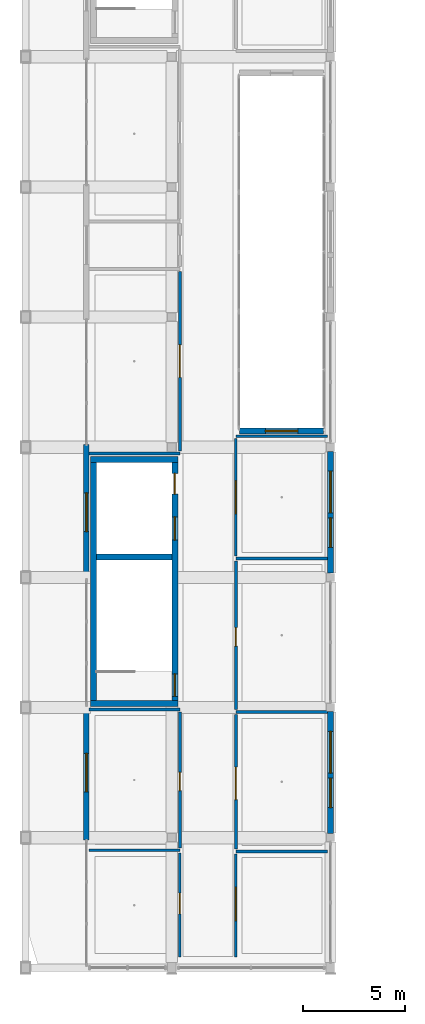
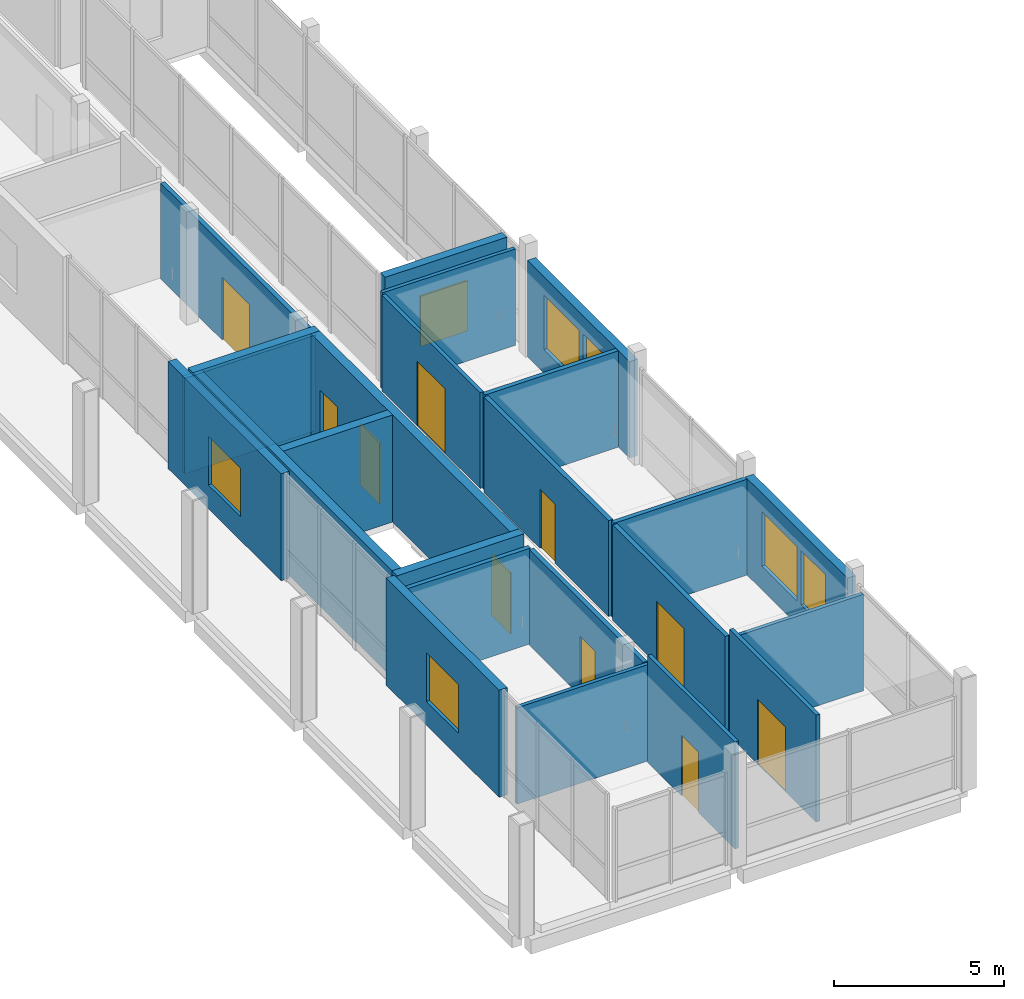
# One storey, part 11 of 24: 24 walls, 10 doors, 7 windows, 17 openings.
"""IFC4 building model written with IfcOpenShell, lengths in metres."""

import ifcopenshell
import ifcopenshell.guid

model = None  # the IFC model being written
_history = None  # IfcOwnerHistory: only IFC2X3 demands one
_inside = {}  # id of a spatial element -> (the spatial element, [elements in it])
_under = {}  # id of a project, library or spatial element -> (it, [spatial elements below it])
_declared = {}  # id of a project -> (the project, [libraries it declares])
_typed = {}  # id of a type object -> (the type object, [elements of that type])
_made_of = {}  # id of a material, layer set ... -> (it, [elements and type objects made of it])


def new_model(schema):
    """Start an empty IFC model of exactly this schema.

    Asked for "IFC4X3", IfcOpenShell would pick the latest addendum, in which some entities
    have other attributes; the version numbers below select the first issue.
    IFC2X3 requires an IfcOwnerHistory on every rooted entity: one is made here for all.
    """
    global model, _history
    if schema == "IFC4X3":
        model = ifcopenshell.file(schema_version=(4, 3, 0, 0))
    else:
        model = ifcopenshell.file(schema=schema)
    _inside.clear()
    _under.clear()
    _declared.clear()
    _typed.clear()
    _made_of.clear()
    _history = None
    if model.schema == "IFC2X3":
        org = make("IfcOrganization", Name="unknown")
        user = make(
            "IfcPersonAndOrganization",
            ThePerson=make("IfcPerson", FamilyName="unknown"),
            TheOrganization=org,
        )
        app = make(
            "IfcApplication",
            ApplicationDeveloper=org,
            Version="unknown",
            ApplicationFullName="unknown",
            ApplicationIdentifier="unknown",
        )
        _history = make(
            "IfcOwnerHistory",
            OwningUser=user,
            OwningApplication=app,
            ChangeAction="ADDED",
            CreationDate=0,
        )
    return model


def make(cls, **values):
    """One entity of the class cls with the attributes given. An attribute that is None is left unset."""
    return model.create_entity(
        cls, **{name: value for name, value in values.items() if value is not None}
    )


def rooted(cls, **values):
    """An entity with a GlobalId (a new one), such as an element, a storey or a relation."""
    return make(cls, GlobalId=ifcopenshell.guid.new(), OwnerHistory=_history, **values)


def si_unit(unit_type, name, prefix=None):
    """IfcSIUnit, for example si_unit("LENGTHUNIT", "METRE", prefix="MILLI")."""
    return make("IfcSIUnit", UnitType=unit_type, Prefix=prefix, Name=name)


def derived_unit(unit_type, elements):
    """IfcDerivedUnit: a product of units, each with its exponent."""
    return make(
        "IfcDerivedUnit",
        Elements=[
            make("IfcDerivedUnitElement", Unit=unit, Exponent=power)
            for unit, power in elements
        ],
        UnitType=unit_type,
    )


def assignment(units):
    """IfcUnitAssignment: the units of a project."""
    return None if units is None else make("IfcUnitAssignment", Units=units)


def point(xyz):
    """IfcCartesianPoint."""
    return None if xyz is None else make("IfcCartesianPoint", Coordinates=xyz)


def direction(xyz):
    """IfcDirection."""
    return None if xyz is None else make("IfcDirection", DirectionRatios=xyz)


def frame(location, z_axis=None, x_axis=None):
    """IfcAxis2Placement3D, a coordinate frame: its origin and axes. An axis left out is left unset."""
    return make(
        "IfcAxis2Placement3D",
        Location=point(location),
        Axis=direction(z_axis),
        RefDirection=direction(x_axis),
    )


def frame_2d(location, x_axis=None):
    """IfcAxis2Placement2D, a coordinate frame in the plane: its origin and x axis."""
    return make(
        "IfcAxis2Placement2D", Location=point(location), RefDirection=direction(x_axis)
    )


def origin():
    """The frame at (0, 0, 0) with its axes left unset."""
    return frame((0.0, 0.0, 0.0))


def origin_with_axes():
    """The frame at (0, 0, 0) with the z axis (0, 0, 1) and the x axis (1, 0, 0) written out."""
    return frame((0.0, 0.0, 0.0), z_axis=(0.0, 0.0, 1.0), x_axis=(1.0, 0.0, 0.0))


def place(relative_to, where):
    """IfcLocalPlacement: puts the frame where relative to a parent placement (None: the world)."""
    return make(
        "IfcLocalPlacement", PlacementRelTo=relative_to, RelativePlacement=where
    )


def context(
    kind, dimensions, precision=None, world=None, true_north=None, identifier=None
):
    """IfcGeometricRepresentationContext, for example the 3D "Model" context."""
    return make(
        "IfcGeometricRepresentationContext",
        ContextIdentifier=identifier,
        ContextType=kind,
        CoordinateSpaceDimension=dimensions,
        Precision=precision,
        WorldCoordinateSystem=world,
        TrueNorth=true_north,
    )


def subcontext(parent, identifier, kind, view, scale=None):
    """IfcGeometricRepresentationSubContext, for example "Body" below "Model"."""
    return make(
        "IfcGeometricRepresentationSubContext",
        ContextIdentifier=identifier,
        ContextType=kind,
        ParentContext=parent,
        TargetScale=scale,
        TargetView=view,
    )


def project(units=None, contexts=None):
    """IfcProject with its units and contexts."""
    return rooted(
        "IfcProject",
        Name="project",
        RepresentationContexts=contexts,
        UnitsInContext=assignment(units),
    )


def spatial(cls, under=None, at=None, **own):
    """A site, building, storey or space (cls), placed at a placement, below another one or the project."""
    s = rooted(cls, ObjectPlacement=at, **own)
    if under is not None:
        _under.setdefault(under.id(), (under, []))[1].append(s)
    return s


def profile(cls, at=None, kind="AREA", **sizes):
    """A parametric profile (cls). Its sizes go by their IFC names, for example OverallWidth=200.0."""
    return make(cls, ProfileType=kind, Position=at, **sizes)


def rectangle(**sizes):
    """IfcRectangleProfileDef."""
    return profile("IfcRectangleProfileDef", **sizes)


def extrude(swept, where, along, depth):
    """IfcExtrudedAreaSolid: the profile swept, set in the frame where, extruded along a direction by depth."""
    return make(
        "IfcExtrudedAreaSolid",
        SweptArea=swept,
        Position=where,
        ExtrudedDirection=direction(along),
        Depth=depth,
    )


def shape(context_of_items, identifier, shape_type, items):
    """IfcShapeRepresentation: the items that make up one representation, for example the "Body"."""
    return make(
        "IfcShapeRepresentation",
        ContextOfItems=context_of_items,
        RepresentationIdentifier=identifier,
        RepresentationType=shape_type,
        Items=items,
    )


def material(Name=None, Category=None):
    """IfcMaterial."""
    return make("IfcMaterial", Name=Name, Category=Category)


def layer(
    of_material, thickness, ventilated=None, Name=None, Category=None, Priority=None
):
    """IfcMaterialLayer: one layer of a wall or slab, of a material (None: an air gap)."""
    return make(
        "IfcMaterialLayer",
        Material=of_material,
        LayerThickness=thickness,
        IsVentilated=ventilated,
        Name=Name,
        Category=Category,
        Priority=Priority,
    )


def layer_set(layers, Name=None):
    """IfcMaterialLayerSet."""
    return make("IfcMaterialLayerSet", MaterialLayers=layers, LayerSetName=Name)


def made_of(thing, what):
    """Note that an element or type object is made of a material, layer set ...; save() writes the relation."""
    if what is not None:
        _made_of.setdefault(what.id(), (what, []))[1].append(thing)
    return thing


def type_object(cls, material=None, **own):
    """A type object (cls), such as IfcWallType, which elements share."""
    return made_of(rooted(cls, **own), material)


def element(
    cls,
    number,
    at=None,
    inside=None,
    cuts=None,
    type_object=None,
    material=None,
    context=None,
    identifier="Body",
    shape_type=None,
    held_by="IfcProductDefinitionShape",
    body=None,
    shapes=None,
    **own,
):
    """One element of the class cls, such as IfcWall. Its Tag is "e" and its number.

    at: its placement. inside: the storey or other place that contains it. cuts: it is an
    opening in that element (IfcRelVoidsElement). A single representation is given by context,
    identifier, shape_type and body (its items); several are given by shapes. held_by: the class
    of the entity that holds the representations. save() writes the other relations.
    """
    e = rooted(cls, Tag="e%d" % number, ObjectPlacement=at, **own)
    if body is not None:
        shapes = [shape(context, identifier, shape_type, body)]
    if shapes is not None:
        e.Representation = make(held_by, Representations=shapes)
    if inside is not None:
        _inside.setdefault(inside.id(), (inside, []))[1].append(e)
    if cuts is not None:
        rooted(
            "IfcRelVoidsElement", RelatingBuildingElement=cuts, RelatedOpeningElement=e
        )
    if type_object is not None:
        _typed.setdefault(type_object.id(), (type_object, []))[1].append(e)
    return made_of(e, material)


def fill(opening, filler):
    """IfcRelFillsElement: the door or window that sits in an opening."""
    return rooted(
        "IfcRelFillsElement",
        RelatingOpeningElement=opening,
        RelatedBuildingElement=filler,
    )


def aggregate(whole, parts):
    """IfcRelAggregates: a whole, such as a stair, and the parts it consists of."""
    return rooted("IfcRelAggregates", RelatingObject=whole, RelatedObjects=parts)


def save(model, path):
    """Write the relations noted so far, then the file.

    IfcRelAggregates (storeys below a building ...), IfcRelContainedInSpatialStructure (elements
    in a storey), IfcRelDefinesByType, IfcRelAssociatesMaterial and IfcRelDeclares: one each for
    every whole, place, type object, material and project.
    """
    for whole, parts in _under.values():
        aggregate(whole, parts)
    for where, things in _inside.values():
        rooted(
            "IfcRelContainedInSpatialStructure",
            RelatedElements=things,
            RelatingStructure=where,
        )
    for kind, things in _typed.values():
        rooted("IfcRelDefinesByType", RelatedObjects=things, RelatingType=kind)
    for what, things in _made_of.values():
        rooted("IfcRelAssociatesMaterial", RelatedObjects=things, RelatingMaterial=what)
    for by, libraries in _declared.values():
        rooted("IfcRelDeclares", RelatingContext=by, RelatedDefinitions=libraries)
    model.write(path)


model = new_model("IFC4")

# Units and contexts
model_context = context("Model", 3, precision=1e-05, world=origin(), true_north=direction((0.0, 1.0)))
body_context = subcontext(model_context, "Body", "Model", "MODEL_VIEW")
ifc_project = project(units=[si_unit("LENGTHUNIT", "METRE"), si_unit("AREAUNIT", "SQUARE_METRE"), si_unit("VOLUMEUNIT", "CUBIC_METRE"), si_unit("PLANEANGLEUNIT", "RADIAN"), si_unit("MASSUNIT", "GRAM", prefix="KILO"), derived_unit("THERMALTRANSMITTANCEUNIT", [(si_unit("POWERUNIT", "WATT"), 1), (si_unit("LENGTHUNIT", "METRE"), -2), (si_unit("THERMODYNAMICTEMPERATUREUNIT", "KELVIN"), -1)])], contexts=[model_context])

# Site, building, storey
site_placement = place(None, origin())
site = spatial("IfcSite", under=ifc_project, at=site_placement, CompositionType="ELEMENT")
building_placement = place(site_placement, origin())
building = spatial("IfcBuilding", under=site, at=building_placement, Name="Braskholm Square Health Centre", CompositionType="ELEMENT")
storey_placement = place(building_placement, frame((0.0, 0.0, 21.60009765625)))
storey = spatial("IfcBuildingStorey", under=building, at=storey_placement, Name="L06", CompositionType="ELEMENT", Elevation=21.60009765625)

# Wall, opening, door
ifc_material_1 = material(Name="Acoustic gypsum board partition")
ifc_layer_1 = layer(ifc_material_1, 0.125)
ifc_layer_set_1 = layer_set([ifc_layer_1], Name="Acoustic gypsum board partition")
wall_type_1 = type_object("IfcWallType", Name="ClinicalExamPartition125", PredefinedType="PARTITIONING", material=ifc_layer_set_1)
wall_1_placement = place(storey_placement, frame((11.800048828125, 4.719970703125, 0.0), z_axis=(0.0, 0.0, 1.0), x_axis=(0.0, 1.0, 0.0)))
wall_1 = element("IfcWall", 1, at=wall_1_placement, inside=storey, type_object=wall_type_1, Name="Interior partition PWALL-L06-0244", PredefinedType="PARTITIONING", context=body_context, shape_type="SweptSolid", body=[
    extrude(rectangle(XDim=5.130126953125, YDim=0.125, at=frame_2d((2.56494140625, 0.0))), origin(), (0.0, 0.0, 1.0), 3.8349609375),
])
opening_1_placement = place(wall_1_placement, frame((2.133056640625, 0.0, 0.0)))
opening_1 = element("IfcOpeningElement", 2, at=opening_1_placement, cuts=wall_1, Name="Opening D-25", PredefinedType="OPENING", context=body_context, shape_type="SweptSolid", body=[
    extrude(rectangle(XDim=1.02001953125, YDim=2.179931640625, at=frame_2d((0.510009765625, 1.08984375))), frame((0.0, 0.072509765625, 0.0), z_axis=(0.0, -1.0, 0.0), x_axis=(1.0, 0.0, 0.0)), (0.0, 0.0, 1.0), 0.14501953125),
])
ifc_material_2 = material(Name="Architectural bronze anodised aluminium", Category="aluminium")
door_type_1 = type_object("IfcDoorType", Name="DoorConsultWide1020x2180", OperationType="NOTDEFINED", PredefinedType="DOOR", material=ifc_material_2)
door_1_placement = place(opening_1_placement, origin_with_axes())
door_1 = element("IfcDoor", 3, at=door_1_placement, inside=storey, type_object=door_type_1, Name="Interior door 0113 L06", OperationType="SINGLE_SWING_LEFT", OverallHeight=2.179931640625, OverallWidth=1.02001953125, PredefinedType="DOOR", context=body_context, shape_type="SweptSolid", body=[
    extrude(rectangle(XDim=1.02001953125, YDim=2.179931640625, at=frame_2d((0.510009765625, 1.08984375))), frame((0.0, 0.02490234375, 0.0), z_axis=(0.0, -1.0, 0.0), x_axis=(1.0, 0.0, 0.0)), (0.0, 0.0, 1.0), 0.050048828125),
])
fill(opening_1, door_1)

# Wall
wall_2_placement = place(storey_placement, frame((7.340087890625, 9.969970703125, 0.0), z_axis=(0.0, 0.0, 1.0), x_axis=(1.0, 0.0, 0.0)))
element("IfcWall", 4, at=wall_2_placement, inside=storey, type_object=wall_type_1, Name="Interior partition PWALL-L06-0245", PredefinedType="PARTITIONING", context=body_context, shape_type="SweptSolid", body=[
    extrude(rectangle(XDim=4.4599609375, YDim=0.125, at=frame_2d((2.22998046875, 0.0))), origin(), (0.0, 0.0, 1.0), 3.454833984375),
])

# Wall, opening, door
wall_3_placement = place(storey_placement, frame((14.550048828125, 4.719970703125, 0.0), z_axis=(0.0, 0.0, 1.0), x_axis=(0.0, 1.0, 0.0)))
wall_3 = element("IfcWall", 5, at=wall_3_placement, inside=storey, type_object=wall_type_1, Name="Interior partition PWALL-L06-0268", PredefinedType="PARTITIONING", context=body_context, shape_type="SweptSolid", body=[
    extrude(rectangle(XDim=5.080078125, YDim=0.125, at=frame_2d((2.5400390625, 0.0))), origin(), (0.0, 0.0, 1.0), 3.8349609375),
])
opening_2_placement = place(wall_3_placement, frame((1.797119140625, 0.0, 0.0)))
opening_2 = element("IfcOpeningElement", 6, at=opening_2_placement, cuts=wall_3, Name="Opening D-28", PredefinedType="OPENING", context=body_context, shape_type="SweptSolid", body=[
    extrude(rectangle(XDim=1.639892578125, YDim=2.320068359375, at=frame_2d((0.81982421875, 1.16015625))), frame((0.0, 0.072509765625, 0.0), z_axis=(0.0, -1.0, 0.0), x_axis=(1.0, 0.0, 0.0)), (0.0, 0.0, 1.0), 0.14501953125),
])
door_type_2 = type_object("IfcDoorType", Name="DoorSuiteDouble1640x2320", OperationType="DOUBLE_DOOR_SINGLE_SWING", PredefinedType="DOOR", material=ifc_material_2)
door_2_placement = place(opening_2_placement, frame((1.639892578125, 0.0, 0.0), z_axis=(0.0, 0.0, 1.0), x_axis=(-1.0, 0.0, 0.0)))
door_2 = element("IfcDoor", 7, at=door_2_placement, inside=storey, type_object=door_type_2, Name="Interior door 0124 L06", OperationType="DOUBLE_DOOR_SINGLE_SWING", OverallHeight=2.320068359375, OverallWidth=1.639892578125, PredefinedType="DOOR", context=body_context, shape_type="SweptSolid", body=[
    extrude(rectangle(XDim=1.639892578125, YDim=2.320068359375, at=frame_2d((0.81982421875, 1.16015625))), frame((0.0, 0.02490234375, 0.0), z_axis=(0.0, -1.0, 0.0), x_axis=(1.0, 0.0, 0.0)), (0.0, 0.0, 1.0), 0.050048828125),
])
fill(opening_2, door_2)

# Wall
wall_4_placement = place(storey_placement, frame((14.550048828125, 9.919921875, 0.0), z_axis=(0.0, 0.0, 1.0), x_axis=(1.0, 0.0, 0.0)))
element("IfcWall", 8, at=wall_4_placement, inside=storey, type_object=wall_type_1, Name="Interior partition PWALL-L06-0269", PredefinedType="PARTITIONING", context=body_context, shape_type="SweptSolid", body=[
    extrude(rectangle(XDim=4.510009765625, YDim=0.125, at=frame_2d((2.2548828125, 0.0))), origin(), (0.0, 0.0, 1.0), 3.454833984375),
])

# Wall, opening, door
wall_5_placement = place(storey_placement, frame((14.550048828125, 24.449951171875, 0.0), z_axis=(0.0, 0.0, 1.0), x_axis=(0.0, 1.0, 0.0)))
wall_5 = element("IfcWall", 9, at=wall_5_placement, inside=storey, type_object=wall_type_1, Name="Interior partition PWALL-L06-0274", PredefinedType="PARTITIONING", context=body_context, shape_type="SweptSolid", body=[
    extrude(rectangle(XDim=5.780029296875, YDim=0.125, at=frame_2d((2.89013671875, 0.0))), origin(), (0.0, 0.0, 1.0), 3.434814453125),
])
opening_3_placement = place(wall_5_placement, frame((2.070068359375, 0.0, 0.0)))
opening_3 = element("IfcOpeningElement", 10, at=opening_3_placement, cuts=wall_5, Name="Opening D-28", PredefinedType="OPENING", context=body_context, shape_type="SweptSolid", body=[
    extrude(rectangle(XDim=1.639892578125, YDim=2.320068359375, at=frame_2d((0.81982421875, 1.16015625))), frame((0.0, 0.072509765625, 0.0), z_axis=(0.0, -1.0, 0.0), x_axis=(1.0, 0.0, 0.0)), (0.0, 0.0, 1.0), 0.14501953125),
])
door_3_placement = place(opening_3_placement, frame((1.639892578125, 0.0, 0.0), z_axis=(0.0, 0.0, 1.0), x_axis=(-1.0, 0.0, 0.0)))
door_3 = element("IfcDoor", 11, at=door_3_placement, inside=storey, type_object=door_type_2, Name="Interior door 0127 L06", OperationType="DOUBLE_DOOR_SINGLE_SWING", OverallHeight=2.320068359375, OverallWidth=1.639892578125, PredefinedType="DOOR", context=body_context, shape_type="SweptSolid", body=[
    extrude(rectangle(XDim=1.639892578125, YDim=2.320068359375, at=frame_2d((0.81982421875, 1.16015625))), frame((0.0, 0.02490234375, 0.0), z_axis=(0.0, -1.0, 0.0), x_axis=(1.0, 0.0, 0.0)), (0.0, 0.0, 1.0), 0.050048828125),
])
fill(opening_3, door_3)

# Wall
wall_6_placement = place(storey_placement, frame((14.550048828125, 30.35009765625, 0.0), z_axis=(0.0, 0.0, 1.0), x_axis=(1.0, 0.0, 0.0)))
element("IfcWall", 12, at=wall_6_placement, inside=storey, type_object=wall_type_1, Name="Interior partition PWALL-L06-0275", PredefinedType="PARTITIONING", context=body_context, shape_type="SweptSolid", body=[
    extrude(rectangle(XDim=4.510009765625, YDim=0.125, at=frame_2d((2.2548828125, 0.0))), origin(), (0.0, 0.0, 1.0), 3.454833984375),
])

# Wall, opening, door
ifc_layer_2 = layer(ifc_material_1, 0.14990234375)
ifc_layer_set_2 = layer_set([ifc_layer_2], Name="Acoustic gypsum board partition")
wall_type_2 = type_object("IfcWallType", Name="CorridorAcousticPartition150", PredefinedType="PARTITIONING", material=ifc_layer_set_2)
wall_7_placement = place(storey_placement, frame((11.800048828125, 10.090087890625, 0.0), z_axis=(0.0, 0.0, 1.0), x_axis=(0.0, 1.0, 0.0)))
wall_7 = element("IfcWall", 13, at=wall_7_placement, inside=storey, type_object=wall_type_2, Name="Interior partition PWALL-L06-0246", PredefinedType="PARTITIONING", context=body_context, shape_type="SweptSolid", body=[
    extrude(rectangle(XDim=6.68994140625, YDim=0.14990234375, at=frame_2d((3.344970703125, 0.0))), origin(), (0.0, 0.0, 1.0), 3.434814453125),
])
opening_4_placement = place(wall_7_placement, frame((2.820068359375, 0.0, 0.0)))
opening_4 = element("IfcOpeningElement", 14, at=opening_4_placement, cuts=wall_7, Name="Opening D-07", PredefinedType="OPENING", context=body_context, shape_type="SweptSolid", body=[
    extrude(rectangle(XDim=0.89990234375, YDim=2.1201171875, at=frame_2d((0.449951171875, 1.06005859375))), frame((0.0, 0.0849609375, 0.0), z_axis=(0.0, -1.0, 0.0), x_axis=(1.0, 0.0, 0.0)), (0.0, 0.0, 1.0), 0.169921875),
])
door_type_3 = type_object("IfcDoorType", Name="DoorProviderOffice900x2120", OperationType="NOTDEFINED", PredefinedType="DOOR", material=ifc_material_2)
door_4_placement = place(opening_4_placement, origin_with_axes())
door_4 = element("IfcDoor", 15, at=door_4_placement, inside=storey, type_object=door_type_3, Name="Interior door 0114 L06", OperationType="SINGLE_SWING_RIGHT", OverallHeight=2.1201171875, OverallWidth=0.89990234375, PredefinedType="DOOR", context=body_context, shape_type="SweptSolid", body=[
    extrude(rectangle(XDim=0.89990234375, YDim=2.1201171875, at=frame_2d((0.449951171875, 1.06005859375))), frame((0.0, 0.02490234375, 0.0), z_axis=(0.0, -1.0, 0.0), x_axis=(1.0, 0.0, 0.0)), (0.0, 0.0, 1.0), 0.050048828125),
])
fill(opening_4, door_4)

# Wall
wall_8_placement = place(storey_placement, frame((7.340087890625, 16.89990234375, 0.0), z_axis=(0.0, 0.0, 1.0), x_axis=(1.0, 0.0, 0.0)))
element("IfcWall", 16, at=wall_8_placement, inside=storey, type_object=wall_type_2, Name="Interior partition PWALL-L06-0247", PredefinedType="PARTITIONING", context=body_context, shape_type="SweptSolid", body=[
    extrude(rectangle(XDim=4.4599609375, YDim=0.14990234375, at=frame_2d((2.22998046875, 0.0))), origin(), (0.0, 0.0, 1.0), 3.434814453125),
])

# Wall, opening, door
wall_9_placement = place(storey_placement, frame((11.800048828125, 29.6201171875, 0.0), z_axis=(0.0, 0.0, 1.0), x_axis=(0.0, 1.0, 0.0)))
wall_9 = element("IfcWall", 17, at=wall_9_placement, inside=storey, type_object=wall_type_2, Name="Interior partition PWALL-L06-0248", PredefinedType="PARTITIONING", context=body_context, shape_type="SweptSolid", body=[
    extrude(rectangle(XDim=8.81982421875, YDim=0.14990234375, at=frame_2d((4.409912109375, 0.0))), origin(), (0.0, 0.0, 1.0), 3.434814453125),
])
opening_5_placement = place(wall_9_placement, frame((3.610107421875, 0.0, 0.0)))
opening_5 = element("IfcOpeningElement", 18, at=opening_5_placement, cuts=wall_9, Name="Opening D-11", PredefinedType="OPENING", context=body_context, shape_type="SweptSolid", body=[
    extrude(rectangle(XDim=1.60009765625, YDim=2.25, at=frame_2d((0.800048828125, 1.125))), frame((0.0, 0.0849609375, 0.0), z_axis=(0.0, -1.0, 0.0), x_axis=(1.0, 0.0, 0.0)), (0.0, 0.0, 1.0), 0.169921875),
])
door_type_4 = type_object("IfcDoorType", Name="DoorClassroomDouble1600x2250", OperationType="DOUBLE_DOOR_SINGLE_SWING", PredefinedType="DOOR", material=ifc_material_2)
door_5_placement = place(opening_5_placement, origin_with_axes())
door_5 = element("IfcDoor", 19, at=door_5_placement, inside=storey, type_object=door_type_4, Name="Interior door 0115 L06", OperationType="DOUBLE_DOOR_SINGLE_SWING", OverallHeight=2.25, OverallWidth=1.60009765625, PredefinedType="DOOR", context=body_context, shape_type="SweptSolid", body=[
    extrude(rectangle(XDim=1.60009765625, YDim=2.25, at=frame_2d((0.800048828125, 1.125))), frame((0.0, 0.02490234375, 0.0), z_axis=(0.0, -1.0, 0.0), x_axis=(1.0, 0.0, 0.0)), (0.0, 0.0, 1.0), 0.050048828125),
])
fill(opening_5, door_5)

# Wall
wall_10_placement = place(storey_placement, frame((7.340087890625, 29.5, 0.0), z_axis=(0.0, 0.0, 1.0), x_axis=(1.0, 0.0, 0.0)))
element("IfcWall", 20, at=wall_10_placement, inside=storey, type_object=wall_type_2, Name="Interior partition PWALL-L06-0250", PredefinedType="PARTITIONING", context=body_context, shape_type="SweptSolid", body=[
    extrude(rectangle(XDim=4.4599609375, YDim=0.14990234375, at=frame_2d((2.22998046875, 0.0))), origin(), (0.0, 0.0, 1.0), 3.434814453125),
])

# Wall, opening, door
wall_11_placement = place(storey_placement, frame((14.550048828125, 10.0400390625, 0.0), z_axis=(0.0, 0.0, 1.0), x_axis=(0.0, 1.0, 0.0)))
wall_11 = element("IfcWall", 21, at=wall_11_placement, inside=storey, type_object=wall_type_2, Name="Interior partition PWALL-L06-0270", PredefinedType="PARTITIONING", context=body_context, shape_type="SweptSolid", body=[
    extrude(rectangle(XDim=6.60986328125, YDim=0.14990234375, at=frame_2d((3.304931640625, 0.0))), origin(), (0.0, 0.0, 1.0), 3.434814453125),
])
opening_6_placement = place(wall_11_placement, frame((2.427978515625, 0.0, 0.0)))
opening_6 = element("IfcOpeningElement", 22, at=opening_6_placement, cuts=wall_11, Name="Opening D-11", PredefinedType="OPENING", context=body_context, shape_type="SweptSolid", body=[
    extrude(rectangle(XDim=1.60009765625, YDim=2.25, at=frame_2d((0.800048828125, 1.125))), frame((0.0, 0.0849609375, 0.0), z_axis=(0.0, -1.0, 0.0), x_axis=(1.0, 0.0, 0.0)), (0.0, 0.0, 1.0), 0.169921875),
])
door_6_placement = place(opening_6_placement, frame((1.60009765625, 0.0, 0.0), z_axis=(0.0, 0.0, 1.0), x_axis=(-1.0, 0.0, 0.0)))
door_6 = element("IfcDoor", 23, at=door_6_placement, inside=storey, type_object=door_type_4, Name="Interior door 0125 L06", OperationType="DOUBLE_DOOR_SINGLE_SWING", OverallHeight=2.25, OverallWidth=1.60009765625, PredefinedType="DOOR", context=body_context, shape_type="SweptSolid", body=[
    extrude(rectangle(XDim=1.60009765625, YDim=2.25, at=frame_2d((0.800048828125, 1.125))), frame((0.0, 0.02490234375, 0.0), z_axis=(0.0, -1.0, 0.0), x_axis=(1.0, 0.0, 0.0)), (0.0, 0.0, 1.0), 0.050048828125),
])
fill(opening_6, door_6)

# Wall
wall_12_placement = place(storey_placement, frame((14.550048828125, 16.77001953125, 0.0), z_axis=(0.0, 0.0, 1.0), x_axis=(1.0, 0.0, 0.0)))
element("IfcWall", 24, at=wall_12_placement, inside=storey, type_object=wall_type_2, Name="Interior partition PWALL-L06-0271", PredefinedType="PARTITIONING", context=body_context, shape_type="SweptSolid", body=[
    extrude(rectangle(XDim=4.510009765625, YDim=0.14990234375, at=frame_2d((2.2548828125, 0.0))), origin(), (0.0, 0.0, 1.0), 3.434814453125),
])

# Wall, opening, door
wall_13_placement = place(storey_placement, frame((14.550048828125, 16.889892578125, 0.0), z_axis=(0.0, 0.0, 1.0), x_axis=(0.0, 1.0, 0.0)))
wall_13 = element("IfcWall", 25, at=wall_13_placement, inside=storey, type_object=wall_type_2, Name="Interior partition PWALL-L06-0272", PredefinedType="PARTITIONING", context=body_context, shape_type="SweptSolid", body=[
    extrude(rectangle(XDim=7.320068359375, YDim=0.14990234375, at=frame_2d((3.66015625, 0.0))), origin(), (0.0, 0.0, 1.0), 3.434814453125),
])
opening_7_placement = place(wall_13_placement, frame((3.134033203125, 0.0, 0.0)))
opening_7 = element("IfcOpeningElement", 26, at=opening_7_placement, cuts=wall_13, Name="Opening D-07", PredefinedType="OPENING", context=body_context, shape_type="SweptSolid", body=[
    extrude(rectangle(XDim=0.89990234375, YDim=2.1201171875, at=frame_2d((0.449951171875, 1.06005859375))), frame((0.0, 0.0849609375, 0.0), z_axis=(0.0, -1.0, 0.0), x_axis=(1.0, 0.0, 0.0)), (0.0, 0.0, 1.0), 0.169921875),
])
door_7_placement = place(opening_7_placement, frame((0.89990234375, 0.0, 0.0), z_axis=(0.0, 0.0, 1.0), x_axis=(-1.0, 0.0, 0.0)))
door_7 = element("IfcDoor", 27, at=door_7_placement, inside=storey, type_object=door_type_3, Name="Interior door 0126 L06", OperationType="SINGLE_SWING_LEFT", OverallHeight=2.1201171875, OverallWidth=0.89990234375, PredefinedType="DOOR", context=body_context, shape_type="SweptSolid", body=[
    extrude(rectangle(XDim=0.89990234375, YDim=2.1201171875, at=frame_2d((0.449951171875, 1.06005859375))), frame((0.0, 0.02490234375, 0.0), z_axis=(0.0, -1.0, 0.0), x_axis=(1.0, 0.0, 0.0)), (0.0, 0.0, 1.0), 0.050048828125),
])
fill(opening_7, door_7)

# Wall
wall_14_placement = place(storey_placement, frame((14.550048828125, 24.330078125, 0.0), z_axis=(0.0, 0.0, 1.0), x_axis=(1.0, 0.0, 0.0)))
element("IfcWall", 28, at=wall_14_placement, inside=storey, type_object=wall_type_2, Name="Interior partition PWALL-L06-0273", PredefinedType="PARTITIONING", context=body_context, shape_type="SweptSolid", body=[
    extrude(rectangle(XDim=4.510009765625, YDim=0.14990234375, at=frame_2d((2.2548828125, 0.0))), origin(), (0.0, 0.0, 1.0), 3.454833984375),
])

# Wall, opening, window
ifc_material_3 = material(Name="Precast concrete C40/50 architectural white", Category="concrete")
ifc_layer_3 = layer(ifc_material_3, 0.280029296875)
ifc_layer_set_3 = layer_set([ifc_layer_3], Name="Precast concrete C40/50 architectural white")
wall_type_3 = type_object("IfcWallType", Name="ExteriorPrecastSpandrelWall280", PredefinedType="SOLIDWALL", material=ifc_layer_set_3)
wall_15_placement = place(storey_placement, frame((7.199951171875, 17.123046875, 0.0), z_axis=(0.0, 0.0, 1.0), x_axis=(0.0, -1.0, 0.0)))
wall_15 = element("IfcWall", 29, at=wall_15_placement, inside=storey, type_object=wall_type_3, Name="Exterior wall EWALL-L06-0044", PredefinedType="SOLIDWALL", context=body_context, shape_type="SweptSolid", body=[
    extrude(rectangle(XDim=6.64599609375, YDim=0.280029296875, at=frame_2d((3.322998046875, 0.0))), origin(), (0.0, 0.0, 1.0), 3.83984375),
])
opening_8_placement = place(wall_15_placement, frame((2.373046875, 0.0, 0.85009765625)))
opening_8 = element("IfcOpeningElement", 30, at=opening_8_placement, cuts=wall_15, Name="Opening WN-23", PredefinedType="OPENING", context=body_context, shape_type="SweptSolid", body=[
    extrude(rectangle(XDim=1.89990234375, YDim=1.75, at=frame_2d((0.949951171875, 0.875))), frame((0.0, 0.14990234375, 0.0), z_axis=(0.0, -1.0, 0.0), x_axis=(1.0, 0.0, 0.0)), (0.0, 0.0, 1.0), 0.300048828125),
])
ifc_material_4 = material(Name="Low-E triple insulating glass (VLT 0.64)", Category="glass")
window_type_1 = type_object("IfcWindowType", Name="WinCrownSetback1900x1750", PartitioningType="SINGLE_PANEL", PredefinedType="WINDOW", material=ifc_material_4)
window_1_placement = place(opening_8_placement, origin_with_axes())
window_1 = element("IfcWindow", 31, at=window_1_placement, inside=storey, type_object=window_type_1, Name="Exterior window 0083 L06", OverallHeight=1.75, OverallWidth=1.89990234375, PartitioningType="SINGLE_PANEL", PredefinedType="WINDOW", context=body_context, shape_type="SweptSolid", body=[
    extrude(rectangle(XDim=1.89990234375, YDim=1.75, at=frame_2d((0.949951171875, 0.875))), frame((0.0, 0.030029296875, 0.0), z_axis=(0.0, -1.0, 0.0), x_axis=(1.0, 0.0, 0.0)), (0.0, 0.0, 1.0), 0.06005859375),
])
fill(opening_8, window_1)

wall_16_placement = place(storey_placement, frame((7.199951171875, 29.923095703125, 0.0), z_axis=(0.0, 0.0, 1.0), x_axis=(0.0, -1.0, 0.0)))
wall_16 = element("IfcWall", 32, at=wall_16_placement, inside=storey, type_object=wall_type_3, Name="Exterior wall EWALL-L06-0045", PredefinedType="SOLIDWALL", context=body_context, shape_type="SweptSolid", body=[
    extrude(rectangle(XDim=6.64599609375, YDim=0.280029296875, at=frame_2d((3.322998046875, 0.0))), origin(), (0.0, 0.0, 1.0), 3.83984375),
])
opening_9_placement = place(wall_16_placement, frame((2.373046875, 0.0, 0.85009765625)))
opening_9 = element("IfcOpeningElement", 33, at=opening_9_placement, cuts=wall_16, Name="Opening WN-23", PredefinedType="OPENING", context=body_context, shape_type="SweptSolid", body=[
    extrude(rectangle(XDim=1.89990234375, YDim=1.75, at=frame_2d((0.949951171875, 0.875))), frame((0.0, 0.14990234375, 0.0), z_axis=(0.0, -1.0, 0.0), x_axis=(1.0, 0.0, 0.0)), (0.0, 0.0, 1.0), 0.300048828125),
])
window_2_placement = place(opening_9_placement, origin_with_axes())
window_2 = element("IfcWindow", 34, at=window_2_placement, inside=storey, type_object=window_type_1, Name="Exterior window 0084 L06", OverallHeight=1.75, OverallWidth=1.89990234375, PartitioningType="SINGLE_PANEL", PredefinedType="WINDOW", context=body_context, shape_type="SweptSolid", body=[
    extrude(rectangle(XDim=1.89990234375, YDim=1.75, at=frame_2d((0.949951171875, 0.875))), frame((0.0, 0.030029296875, 0.0), z_axis=(0.0, -1.0, 0.0), x_axis=(1.0, 0.0, 0.0)), (0.0, 0.0, 1.0), 0.06005859375),
])
fill(opening_9, window_2)

# Wall, openings, windows
wall_17_placement = place(storey_placement, frame((19.199951171875, 10.802001953125, 0.0), z_axis=(0.0, 0.0, 1.0), x_axis=(0.0, 1.0, 0.0)))
wall_17 = element("IfcWall", 35, at=wall_17_placement, inside=storey, type_object=wall_type_3, Name="Exterior wall EWALL-L06-0149", PredefinedType="SOLIDWALL", context=body_context, shape_type="SweptSolid", body=[
    extrude(rectangle(XDim=5.99609375, YDim=0.280029296875, at=frame_2d((2.998046875, 0.0))), origin(), (0.0, 0.0, 1.0), 3.4599609375),
])
opening_10_placement = place(wall_17_placement, frame((1.27392578125, 0.0, 0.85009765625)))
opening_10 = element("IfcOpeningElement", 36, at=opening_10_placement, cuts=wall_17, Name="Opening WN-24", PredefinedType="OPENING", context=body_context, shape_type="SweptSolid", body=[
    extrude(rectangle(XDim=1.449951171875, YDim=1.949951171875, at=frame_2d((0.72509765625, 0.97509765625))), frame((0.0, 0.14990234375, 0.0), z_axis=(0.0, -1.0, 0.0), x_axis=(1.0, 0.0, 0.0)), (0.0, 0.0, 1.0), 0.300048828125),
])
opening_11_placement = place(wall_17_placement, frame((2.971923828125, 0.0, 0.85009765625)))
opening_11 = element("IfcOpeningElement", 37, at=opening_11_placement, cuts=wall_17, Name="Opening WN-25", PredefinedType="OPENING", context=body_context, shape_type="SweptSolid", body=[
    extrude(rectangle(XDim=2.050048828125, YDim=1.949951171875, at=frame_2d((1.02490234375, 0.97509765625))), frame((0.0, 0.14990234375, 0.0), z_axis=(0.0, -1.0, 0.0), x_axis=(1.0, 0.0, 0.0)), (0.0, 0.0, 1.0), 0.300048828125),
])
window_type_2 = type_object("IfcWindowType", Name="WinValleyTerrace1450x1950", PartitioningType="SINGLE_PANEL", PredefinedType="WINDOW", material=ifc_material_4)
window_3_placement = place(opening_10_placement, origin_with_axes())
window_3 = element("IfcWindow", 38, at=window_3_placement, inside=storey, type_object=window_type_2, Name="Exterior window 0208 L06", OverallHeight=1.949951171875, OverallWidth=1.449951171875, PartitioningType="SINGLE_PANEL", PredefinedType="WINDOW", context=body_context, shape_type="SweptSolid", body=[
    extrude(rectangle(XDim=1.449951171875, YDim=1.949951171875, at=frame_2d((0.72509765625, 0.97509765625))), frame((0.0, 0.030029296875, 0.0), z_axis=(0.0, -1.0, 0.0), x_axis=(1.0, 0.0, 0.0)), (0.0, 0.0, 1.0), 0.06005859375),
])
fill(opening_10, window_3)
window_type_3 = type_object("IfcWindowType", Name="WinValleyTerrace2050x1950", PartitioningType="SINGLE_PANEL", PredefinedType="WINDOW", material=ifc_material_4)
window_4_placement = place(opening_11_placement, origin_with_axes())
window_4 = element("IfcWindow", 39, at=window_4_placement, inside=storey, type_object=window_type_3, Name="Exterior window 0209 L06", OverallHeight=1.949951171875, OverallWidth=2.050048828125, PartitioningType="SINGLE_PANEL", PredefinedType="WINDOW", context=body_context, shape_type="SweptSolid", body=[
    extrude(rectangle(XDim=2.050048828125, YDim=1.949951171875, at=frame_2d((1.02490234375, 0.97509765625))), frame((0.0, 0.030029296875, 0.0), z_axis=(0.0, -1.0, 0.0), x_axis=(1.0, 0.0, 0.0)), (0.0, 0.0, 1.0), 0.06005859375),
])
fill(opening_11, window_4)

wall_18_placement = place(storey_placement, frame((19.199951171875, 23.60205078125, 0.0), z_axis=(0.0, 0.0, 1.0), x_axis=(0.0, 1.0, 0.0)))
wall_18 = element("IfcWall", 40, at=wall_18_placement, inside=storey, type_object=wall_type_3, Name="Exterior wall EWALL-L06-0150", PredefinedType="SOLIDWALL", context=body_context, shape_type="SweptSolid", body=[
    extrude(rectangle(XDim=5.995849609375, YDim=0.280029296875, at=frame_2d((2.998046875, 0.0))), origin(), (0.0, 0.0, 1.0), 3.4599609375),
])
opening_12_placement = place(wall_18_placement, frame((1.27392578125, 0.0, 0.85009765625)))
opening_12 = element("IfcOpeningElement", 41, at=opening_12_placement, cuts=wall_18, Name="Opening WN-24", PredefinedType="OPENING", context=body_context, shape_type="SweptSolid", body=[
    extrude(rectangle(XDim=1.449951171875, YDim=1.949951171875, at=frame_2d((0.72509765625, 0.97509765625))), frame((0.0, 0.14990234375, 0.0), z_axis=(0.0, -1.0, 0.0), x_axis=(1.0, 0.0, 0.0)), (0.0, 0.0, 1.0), 0.300048828125),
])
opening_13_placement = place(wall_18_placement, frame((2.971923828125, 0.0, 0.85009765625)))
opening_13 = element("IfcOpeningElement", 42, at=opening_13_placement, cuts=wall_18, Name="Opening WN-25", PredefinedType="OPENING", context=body_context, shape_type="SweptSolid", body=[
    extrude(rectangle(XDim=2.050048828125, YDim=1.949951171875, at=frame_2d((1.02490234375, 0.97509765625))), frame((0.0, 0.14990234375, 0.0), z_axis=(0.0, -1.0, 0.0), x_axis=(1.0, 0.0, 0.0)), (0.0, 0.0, 1.0), 0.300048828125),
])
window_5_placement = place(opening_12_placement, origin_with_axes())
window_5 = element("IfcWindow", 43, at=window_5_placement, inside=storey, type_object=window_type_2, Name="Exterior window 0210 L06", OverallHeight=1.949951171875, OverallWidth=1.449951171875, PartitioningType="SINGLE_PANEL", PredefinedType="WINDOW", context=body_context, shape_type="SweptSolid", body=[
    extrude(rectangle(XDim=1.449951171875, YDim=1.949951171875, at=frame_2d((0.72509765625, 0.97509765625))), frame((0.0, 0.030029296875, 0.0), z_axis=(0.0, -1.0, 0.0), x_axis=(1.0, 0.0, 0.0)), (0.0, 0.0, 1.0), 0.06005859375),
])
fill(opening_12, window_5)
window_6_placement = place(opening_13_placement, origin_with_axes())
window_6 = element("IfcWindow", 44, at=window_6_placement, inside=storey, type_object=window_type_3, Name="Exterior window 0211 L06", OverallHeight=1.949951171875, OverallWidth=2.050048828125, PartitioningType="SINGLE_PANEL", PredefinedType="WINDOW", context=body_context, shape_type="SweptSolid", body=[
    extrude(rectangle(XDim=2.050048828125, YDim=1.949951171875, at=frame_2d((1.02490234375, 0.97509765625))), frame((0.0, 0.030029296875, 0.0), z_axis=(0.0, -1.0, 0.0), x_axis=(1.0, 0.0, 0.0)), (0.0, 0.0, 1.0), 0.06005859375),
])
fill(opening_13, window_6)

# Wall, opening, window
wall_19_placement = place(storey_placement, frame((18.865966796875, 30.60009765625, 0.0), z_axis=(0.0, 0.0, 1.0), x_axis=(-1.0, 0.0, 0.0)))
wall_19 = element("IfcWall", 45, at=wall_19_placement, inside=storey, type_object=wall_type_3, Name="Exterior wall EWALL-L06-0293", PredefinedType="SOLIDWALL", context=body_context, shape_type="SweptSolid", body=[
    extrude(rectangle(XDim=4.132080078125, YDim=0.280029296875, at=frame_2d((2.06591796875, 0.0))), origin(), (0.0, 0.0, 1.0), 3.83984375),
])
opening_14_placement = place(wall_19_placement, frame((1.26611328125, 0.0, 0.85009765625)))
opening_14 = element("IfcOpeningElement", 46, at=opening_14_placement, cuts=wall_19, Name="Opening WN-27", PredefinedType="OPENING", context=body_context, shape_type="SweptSolid", body=[
    extrude(rectangle(XDim=1.60009765625, YDim=1.800048828125, at=frame_2d((0.800048828125, 0.89990234375))), frame((0.0, 0.14990234375, 0.0), z_axis=(0.0, -1.0, 0.0), x_axis=(1.0, 0.0, 0.0)), (0.0, 0.0, 1.0), 0.300048828125),
])
window_type_4 = type_object("IfcWindowType", Name="WinLightCourt1600x1800", PartitioningType="SINGLE_PANEL", PredefinedType="WINDOW", material=ifc_material_4)
window_7_placement = place(opening_14_placement, origin_with_axes())
window_7 = element("IfcWindow", 47, at=window_7_placement, inside=storey, type_object=window_type_4, Name="Exterior window 0339 L06", OverallHeight=1.800048828125, OverallWidth=1.60009765625, PartitioningType="SINGLE_PANEL", PredefinedType="WINDOW", context=body_context, shape_type="SweptSolid", body=[
    extrude(rectangle(XDim=1.60009765625, YDim=1.800048828125, at=frame_2d((0.800048828125, 0.89990234375))), frame((0.0, 0.030029296875, 0.0), z_axis=(0.0, -1.0, 0.0), x_axis=(1.0, 0.0, 0.0)), (0.0, 0.0, 1.0), 0.06005859375),
])
fill(opening_14, window_7)

# Walls
ifc_material_5 = material(Name="Concrete C40/50 (f'c = 40 MPa)", Category="concrete")
ifc_layer_4 = layer(ifc_material_5, 0.300048828125)
ifc_layer_set_4 = layer_set([ifc_layer_4], Name="Concrete C40/50 (f'c = 40 MPa)")
wall_type_4 = type_object("IfcWallType", Name="ShearCoreWall300", PredefinedType="SHEAR", material=ifc_layer_set_4)
for number, where, z_axis, x_axis, name in (
    (48, (7.39990234375, 17.199951171875, 0.0), (0.0, 0.0, 1.0), (1.0, 0.0, 0.0), "CWALL-K1-L06 south wall"),
    (49, (11.699951171875, 29.199951171875, 0.0), (0.0, 0.0, 1.0), (-1.0, 0.0, 0.0), "CWALL-K1-L06 north wall"),
):
    element("IfcWall", number, at=place(storey_placement, frame(where, z_axis=z_axis, x_axis=x_axis)), inside=storey, type_object=wall_type_4, Name=name, PredefinedType="SHEAR", context=body_context, shape_type="SweptSolid", body=[
        extrude(rectangle(XDim=4.300048828125, YDim=0.300048828125, at=frame_2d((2.14990234375, 0.0))), origin(), (0.0, 0.0, 1.0), 3.83984375),
    ])
wall_20_placement = place(storey_placement, frame((7.550048828125, 29.050048828125, 0.0), z_axis=(0.0, 0.0, 1.0), x_axis=(0.0, -1.0, 0.0)))
element("IfcWall", 50, at=wall_20_placement, inside=storey, type_object=wall_type_4, Name="CWALL-K1-L06 west wall", PredefinedType="SHEAR", context=body_context, shape_type="SweptSolid", body=[
    extrude(rectangle(XDim=11.699951171875, YDim=0.300048828125, at=frame_2d((5.85009765625, 0.0))), origin(), (0.0, 0.0, 1.0), 3.83984375),
])

# Wall, openings, doors
wall_21_placement = place(storey_placement, frame((11.550048828125, 17.35009765625, 0.0), z_axis=(0.0, 0.0, 1.0), x_axis=(0.0, 1.0, 0.0)))
wall_21 = element("IfcWall", 51, at=wall_21_placement, inside=storey, type_object=wall_type_4, Name="CWALL-K1-L06 east wall", PredefinedType="SHEAR", context=body_context, shape_type="SweptSolid", body=[
    extrude(rectangle(XDim=11.699951171875, YDim=0.300048828125, at=frame_2d((5.85009765625, 0.0))), origin(), (0.0, 0.0, 1.0), 3.83984375),
])
opening_15_placement = place(wall_21_placement, frame((0.199951171875, 0.0, 0.0)))
opening_15 = element("IfcOpeningElement", 52, at=opening_15_placement, cuts=wall_21, Name="Opening D-22", PredefinedType="OPENING", context=body_context, shape_type="SweptSolid", body=[
    extrude(rectangle(XDim=1.10009765625, YDim=2.199951171875, at=frame_2d((0.550048828125, 1.10009765625))), frame((0.0, 0.16015625, 0.0), z_axis=(0.0, -1.0, 0.0), x_axis=(1.0, 0.0, 0.0)), (0.0, 0.0, 1.0), 0.320068359375),
])
opening_16_placement = place(wall_21_placement, frame((7.875, 0.0, 0.0)))
opening_16 = element("IfcOpeningElement", 53, at=opening_16_placement, cuts=wall_21, Name="Opening LD-1", PredefinedType="OPENING", context=body_context, shape_type="SweptSolid", body=[
    extrude(rectangle(XDim=1.14990234375, YDim=2.199951171875, at=frame_2d((0.574951171875, 1.10009765625))), frame((0.0, 0.16015625, 0.0), z_axis=(0.0, -1.0, 0.0), x_axis=(1.0, 0.0, 0.0)), (0.0, 0.0, 1.0), 0.320068359375),
])
opening_17_placement = place(wall_21_placement, frame((10.139892578125, 0.0, 0.0)))
opening_17 = element("IfcOpeningElement", 54, at=opening_17_placement, cuts=wall_21, Name="Opening LD-2", PredefinedType="OPENING", context=body_context, shape_type="SweptSolid", body=[
    extrude(rectangle(XDim=1.02001953125, YDim=2.14990234375, at=frame_2d((0.510009765625, 1.074951171875))), frame((0.0, 0.16015625, 0.0), z_axis=(0.0, -1.0, 0.0), x_axis=(1.0, 0.0, 0.0)), (0.0, 0.0, 1.0), 0.320068359375),
])
door_type_5 = type_object("IfcDoorType", Name="DoorLiftLandingPassenger1020x2150", OperationType="SLIDING_TO_LEFT", PredefinedType="DOOR", material=ifc_material_2)
door_8_placement = place(opening_17_placement, origin_with_axes())
door_8 = element("IfcDoor", 55, at=door_8_placement, inside=storey, type_object=door_type_5, Name="Elevator EL-03 sliding landing door L06", OperationType="SLIDING_TO_LEFT", OverallHeight=2.14990234375, OverallWidth=1.02001953125, PredefinedType="DOOR", context=body_context, shape_type="SweptSolid", body=[
    extrude(rectangle(XDim=1.02001953125, YDim=2.14990234375, at=frame_2d((0.510009765625, 1.074951171875))), frame((0.0, 0.02490234375, 0.0), z_axis=(0.0, -1.0, 0.0), x_axis=(1.0, 0.0, 0.0)), (0.0, 0.0, 1.0), 0.050048828125),
])
fill(opening_17, door_8)
door_type_6 = type_object("IfcDoorType", Name="DoorLiftLandingStretcher1150x2200", OperationType="SLIDING_TO_LEFT", PredefinedType="DOOR", material=ifc_material_2)
door_9_placement = place(opening_16_placement, origin_with_axes())
door_9 = element("IfcDoor", 56, at=door_9_placement, inside=storey, type_object=door_type_6, Name="Elevator EL-01 sliding landing door L06", OperationType="SLIDING_TO_LEFT", OverallHeight=2.199951171875, OverallWidth=1.14990234375, PredefinedType="DOOR", context=body_context, shape_type="SweptSolid", body=[
    extrude(rectangle(XDim=1.14990234375, YDim=2.199951171875, at=frame_2d((0.574951171875, 1.10009765625))), frame((0.0, 0.02490234375, 0.0), z_axis=(0.0, -1.0, 0.0), x_axis=(1.0, 0.0, 0.0)), (0.0, 0.0, 1.0), 0.050048828125),
])
fill(opening_16, door_9)
door_type_7 = type_object("IfcDoorType", Name="DoorStairEnclosure1100x2200", OperationType="NOTDEFINED", PredefinedType="DOOR", material=ifc_material_2)
door_10_placement = place(opening_15_placement, origin_with_axes())
door_10 = element("IfcDoor", 57, at=door_10_placement, inside=storey, type_object=door_type_7, Name="Stair ST-01 door L06", OperationType="SINGLE_SWING_RIGHT", OverallHeight=2.199951171875, OverallWidth=1.10009765625, PredefinedType="DOOR", context=body_context, shape_type="SweptSolid", body=[
    extrude(rectangle(XDim=1.10009765625, YDim=2.199951171875, at=frame_2d((0.550048828125, 1.10009765625))), frame((0.0, 0.02490234375, 0.0), z_axis=(0.0, -1.0, 0.0), x_axis=(1.0, 0.0, 0.0)), (0.0, 0.0, 1.0), 0.050048828125),
])
fill(opening_15, door_10)

# Wall
wall_22_placement = place(storey_placement, frame((7.699951171875, 24.39990234375, 0.0), z_axis=(0.0, 0.0, 1.0), x_axis=(1.0, 0.0, 0.0)))
element("IfcWall", 58, at=wall_22_placement, inside=storey, type_object=wall_type_4, Name="Core K1 internal shear divider L06", PredefinedType="SHEAR", context=body_context, shape_type="SweptSolid", body=[
    extrude(rectangle(XDim=3.699951171875, YDim=0.300048828125, at=frame_2d((1.85009765625, 0.0))), origin(), (0.0, 0.0, 1.0), 3.83984375),
])

save(model, "model.ifc")
